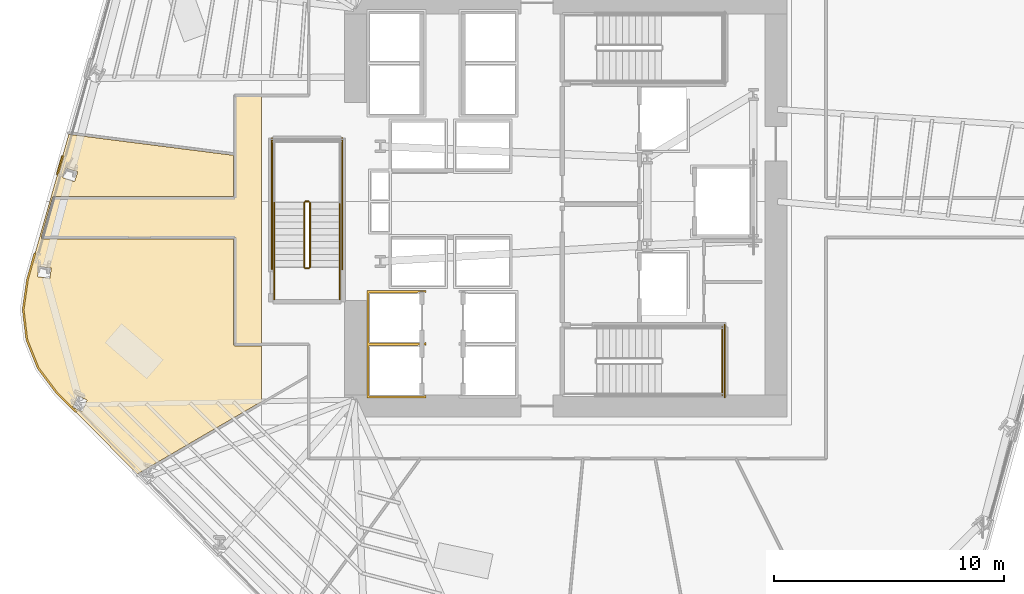
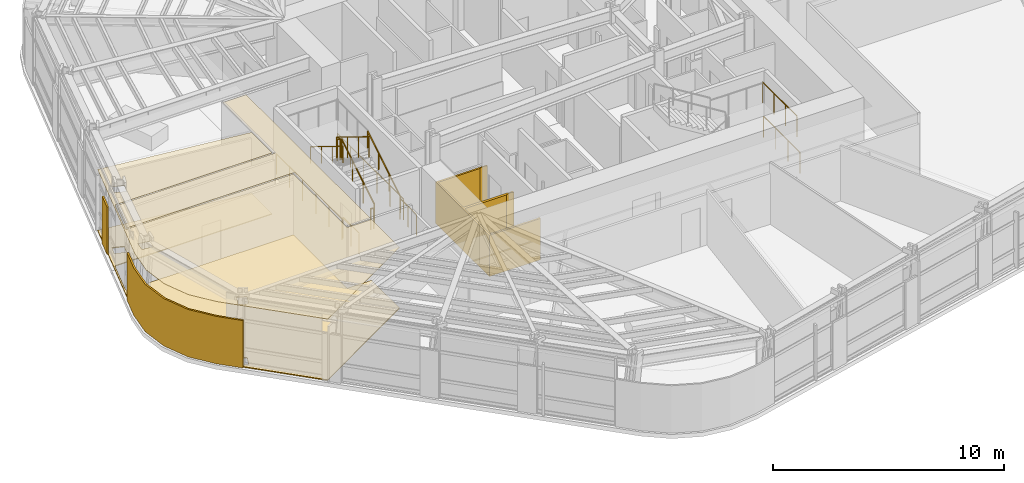
# One storey, part 13 of 17: 12 railings, 6 coverings.
"""IFC4 building model written with IfcOpenShell, lengths in metres."""

from ifc_helpers import new_model, si_unit, direction, frame, origin, origin_2d, place, context, subcontext, project, spatial, polyline, circle, outline, extrude, material, layer, layer_set, type_object, element, save


model = new_model("IFC4")

# Units and contexts
model_context = context("Model", 3, precision=1e-05, world=origin(), true_north=direction((0.0, 1.0)))
body_context = subcontext(model_context, "Body", "Model", "MODEL_VIEW")
ifc_project = project(units=[si_unit("LENGTHUNIT", "METRE"), si_unit("AREAUNIT", "SQUARE_METRE"), si_unit("VOLUMEUNIT", "CUBIC_METRE"), si_unit("PLANEANGLEUNIT", "RADIAN"), si_unit("MASSUNIT", "GRAM", prefix="KILO")], contexts=[model_context])

# Site, building, storey
site_placement = place(None, origin())
site = spatial("IfcSite", under=ifc_project, at=site_placement, CompositionType="ELEMENT")
building_placement = place(site_placement, origin())
building = spatial("IfcBuilding", under=site, at=building_placement, Name="Valkerne Bourse Tower", CompositionType="ELEMENT")
storey_placement = place(building_placement, frame((0.0, 0.0, 85.800048828125)))
storey = spatial("IfcBuildingStorey", under=building, at=storey_placement, Name="L21", CompositionType="ELEMENT", Elevation=85.800048828125)

# Coverings
ifc_material_1 = material(Name="Mineral Fiber Acoustic Ceiling Tile", Category="acoustic")
ifc_layer_1 = layer(ifc_material_1, 0.02490234375)
ifc_layer_set_1 = layer_set([ifc_layer_1], Name="Mineral Fiber Acoustic Ceiling Tile")
covering_type_1 = type_object("IfcCoveringType", Name="COV-CEIL-ACT", PredefinedType="CEILING", material=ifc_layer_set_1)
covering_1_placement = place(storey_placement, frame((0.0, 0.0, 3.22998046875)))
element("IfcCovering", 1, at=covering_1_placement, inside=storey, type_object=covering_type_1, Name="L21 Suspended Ceiling 08", PredefinedType="CEILING", context=body_context, shape_type="SweptSolid", body=[
    extrude(outline(polyline([(23.414794921875, 20.99560546875), (23.25634765625, 22.3056640625), (23.443603515625, 23.621337890625), (25.22998046875, 29.915771484375), (32.381103515625, 29.00537109375), (32.381103515625, 27.218994140625), (24.56982421875, 27.217041015625), (24.5390625, 27.200439453125), (24.52001953125, 27.16943359375), (24.037353515625, 25.46826171875), (24.038818359375, 25.426513671875), (24.0634765625, 25.393798828125), (24.103271484375, 25.381103515625), (32.381103515625, 25.381103515625), (32.381103515625, 20.799560546875), (32.390380859375, 20.764892578125), (32.414794921875, 20.740478515625), (32.449462890625, 20.73095703125), (33.60009765625, 20.73095703125), (33.60009765625, 18.31982421875), (28.671142578125, 15.445068359375), (28.663330078125, 15.44677734375), (28.66162109375, 15.439697265625), (28.19970703125, 15.170166015625), (24.704833984375, 18.708740234375), (23.906982421875, 19.771484375), (23.414794921875, 20.99560546875)]), holes=[polyline([(26.030517578125, 18.381591796875), (26.029052734375, 18.384521484375), (25.616455078125, 18.5615234375), (25.40234375, 18.068359375), (25.403564453125, 18.065185546875), (25.81640625, 17.88818359375), (26.030517578125, 18.381591796875)]), polyline([(24.469970703125, 24.109130859375), (23.9365234375, 24.18505859375), (23.872314453125, 23.74169921875), (23.872802734375, 23.73828125), (24.40625, 23.662353515625), (24.470458984375, 24.10595703125), (24.469970703125, 24.109130859375)]), polyline([(25.621337890625, 28.28662109375), (25.11181640625, 28.46142578125), (24.96533203125, 28.037841796875), (24.965087890625, 28.03466796875), (25.474609375, 27.859619140625), (25.62109375, 28.283447265625), (25.621337890625, 28.28662109375)])]), origin(), (0.0, 0.0, 1.0), 0.02490234375),
])
ifc_material_2 = material(Name="Bronze Anodised Aluminium AA 6063-T6", Category="aluminium")
ifc_layer_2 = layer(ifc_material_2, 0.030029296875)
ifc_layer_set_2 = layer_set([ifc_layer_2], Name="Bronze Anodised Aluminium AA 6063-T6")
covering_type_2 = type_object("IfcCoveringType", Name="COV-CEIL-METAL", PredefinedType="CEILING", material=ifc_layer_set_2)
covering_2_placement = place(storey_placement, frame((0.0, 0.0, 3.22998046875)))
element("IfcCovering", 2, at=covering_2_placement, inside=storey, type_object=covering_type_2, Name="L21 Suspended Ceiling 02", PredefinedType="CEILING", context=body_context, shape_type="SweptSolid", body=[
    extrude(outline(polyline([(32.4541015625, 20.803955078125), (32.4541015625, 25.4541015625), (24.109130859375, 25.4541015625), (24.58935546875, 27.14599609375), (32.4541015625, 27.14599609375), (32.4541015625, 31.595947265625), (33.60009765625, 31.595947265625), (33.60009765625, 20.803955078125), (32.4541015625, 20.803955078125)])), origin(), (0.0, 0.0, 1.0), 0.02490234375),
])
ifc_layer_3 = layer(ifc_material_2, 0.06005859375)
ifc_layer_set_3 = layer_set([ifc_layer_3], Name="Bronze Anodised Aluminium AA 6063-T6")
covering_type_3 = type_object("IfcCoveringType", Name="COV-CRN-ALUM", PredefinedType="CLADDING", material=ifc_layer_set_3)
covering_3_placement = place(storey_placement, origin())
element("IfcCovering", 3, at=covering_3_placement, inside=storey, type_object=covering_type_3, Name="L21 Wind-Shaped Corner Aluminium Cladding 09", PredefinedType="CLADDING", context=body_context, shape_type="SweptSolid", body=[
    extrude(outline(polyline([(24.67138671875, 18.679931640625), (23.868408203125, 19.74951171875), (23.371826171875, 20.984619140625), (23.2119140625, 22.30615234375), (23.400390625, 23.63037109375), (23.725830078125, 24.777099609375), (23.802978515625, 24.755615234375), (23.47900390625, 23.61376953125), (23.29248046875, 22.305419921875), (23.449951171875, 21.0048828125), (23.938720703125, 19.789306640625), (24.732177734375, 18.732421875), (25.56640625, 17.8876953125), (25.50927734375, 17.831787109375), (24.67138671875, 18.679931640625)])), origin(), (0.0, 0.0, 1.0), 2.5),
])
covering_4_placement = place(storey_placement, origin())
element("IfcCovering", 4, at=covering_4_placement, inside=storey, type_object=covering_type_3, Name="L21 Wind-Shaped Corner Aluminium Cladding 10", PredefinedType="CLADDING", context=body_context, shape_type="SweptSolid", body=[
    extrude(outline(polyline([(24.922607421875, 28.993896484375), (24.99951171875, 28.972412109375), (24.770263671875, 28.164306640625), (24.693115234375, 28.185791015625), (24.922607421875, 28.993896484375)])), origin(), (0.0, 0.0, 1.0), 2.5),
])
ifc_material_3 = material(Name="Galvanised Painted Steel", Category="steel")
ifc_layer_4 = layer(ifc_material_3, 0.044921875)
ifc_layer_set_4 = layer_set([ifc_layer_4], Name="Galvanised Painted Steel")
covering_type_4 = type_object("IfcCoveringType", Name="COV-FLR-RAF", PredefinedType="FLOORING", material=ifc_layer_set_4)
covering_5_placement = place(storey_placement, origin())
element("IfcCovering", 5, at=covering_5_placement, inside=storey, type_object=covering_type_4, Name="L21 Floor Finish 08", PredefinedType="FLOORING", context=body_context, shape_type="SweptSolid", body=[
    extrude(outline(polyline([(23.414794921875, 20.99560546875), (23.25634765625, 22.3056640625), (23.443603515625, 23.621337890625), (25.22998046875, 29.915771484375), (32.381103515625, 29.00537109375), (32.381103515625, 27.218994140625), (24.56982421875, 27.217041015625), (24.5390625, 27.200439453125), (24.52001953125, 27.16943359375), (24.037353515625, 25.46826171875), (24.038818359375, 25.426513671875), (24.0634765625, 25.393798828125), (24.103271484375, 25.381103515625), (32.381103515625, 25.381103515625), (32.381103515625, 20.799560546875), (32.390380859375, 20.764892578125), (32.414794921875, 20.740478515625), (32.449462890625, 20.73095703125), (33.60009765625, 20.73095703125), (33.60009765625, 18.31982421875), (28.671142578125, 15.445068359375), (28.663330078125, 15.44677734375), (28.66162109375, 15.439697265625), (28.19970703125, 15.170166015625), (24.704833984375, 18.708740234375), (23.906982421875, 19.771484375), (23.414794921875, 20.99560546875)]), holes=[polyline([(26.030517578125, 18.381591796875), (26.029052734375, 18.384521484375), (25.616455078125, 18.5615234375), (25.40234375, 18.068359375), (25.403564453125, 18.065185546875), (25.81640625, 17.88818359375), (26.030517578125, 18.381591796875)]), polyline([(24.469970703125, 24.109130859375), (23.9365234375, 24.18505859375), (23.872314453125, 23.74169921875), (23.872802734375, 23.73828125), (24.40625, 23.662353515625), (24.470458984375, 24.10595703125), (24.469970703125, 24.109130859375)]), polyline([(25.621337890625, 28.28662109375), (25.11181640625, 28.46142578125), (24.96533203125, 28.037841796875), (24.965087890625, 28.03466796875), (25.474609375, 27.859619140625), (25.62109375, 28.283447265625), (25.621337890625, 28.28662109375)])]), origin(), (0.0, 0.0, 1.0), 0.044921875),
])
ifc_material_4 = material(Name="Gypsum Shaftwall Liner Board", Category="gypsum")
ifc_layer_5 = layer(ifc_material_4, 0.080078125)
ifc_layer_set_5 = layer_set([ifc_layer_5], Name="Gypsum Shaftwall Liner Board")
covering_type_5 = type_object("IfcCoveringType", Name="COV-SHF-CLAD", PredefinedType="CLADDING", material=ifc_layer_set_5)
covering_6_placement = place(storey_placement, origin())
element("IfcCovering", 6, at=covering_6_placement, inside=storey, type_object=covering_type_5, Name="L21 Hoistway & Riser Shaftwall Liner 01", PredefinedType="CLADDING", context=body_context, shape_type="SweptSolid", body=[
    extrude(outline(polyline([(38.169921875, 23.1298828125), (40.72998046875, 23.1298828125), (40.72998046875, 23.052001953125), (40.72216796875, 23.0556640625), (40.6806640625, 23.070556640625), (40.6376953125, 23.081298828125), (40.593994140625, 23.087890625), (40.550048828125, 23.090087890625), (40.505859375, 23.087890625), (40.462158203125, 23.081298828125), (40.41943359375, 23.070556640625), (40.377685546875, 23.0556640625), (40.344482421875, 23.0400390625), (38.260009765625, 23.0400390625), (38.260009765625, 20.860107421875), (40.456787109375, 20.860107421875), (40.462158203125, 20.858642578125), (40.505859375, 20.852294921875), (40.550048828125, 20.85009765625), (40.593994140625, 20.852294921875), (40.6376953125, 20.858642578125), (40.6806640625, 20.869384765625), (40.72216796875, 20.88427734375), (40.72998046875, 20.887939453125), (40.72998046875, 20.830078125), (40.72998046875, 20.77001953125), (40.72998046875, 20.752197265625), (40.72216796875, 20.755615234375), (40.6806640625, 20.7705078125), (40.6376953125, 20.781494140625), (40.593994140625, 20.787841796875), (40.550048828125, 20.7900390625), (40.505859375, 20.787841796875), (40.462158203125, 20.781494140625), (40.41943359375, 20.7705078125), (40.377685546875, 20.755615234375), (40.344482421875, 20.739990234375), (38.260009765625, 20.739990234375), (38.260009765625, 18.56005859375), (40.456787109375, 18.56005859375), (40.462158203125, 18.55859375), (40.505859375, 18.55224609375), (40.550048828125, 18.550048828125), (40.593994140625, 18.55224609375), (40.6376953125, 18.55859375), (40.6806640625, 18.5693359375), (40.72216796875, 18.584228515625), (40.72998046875, 18.587890625), (40.72998046875, 18.469970703125), (38.169921875, 18.469970703125), (38.169921875, 20.77001953125), (38.169921875, 20.830078125), (38.169921875, 23.1298828125)])), origin(), (0.0, 0.0, 1.0), 2.179931640625),
])

# Railings
railing_type_1 = type_object("IfcRailingType", Name="RLG-ST-GUARD-1120", PredefinedType="GUARDRAIL", material=ifc_material_3)
railing_1_placement = place(storey_placement, frame((53.60009765625, 18.60009765625, 1.89990234375)))
element("IfcRailing", 7, at=railing_1_placement, inside=storey, type_object=railing_type_1, Name="L21 ST-1 stair guard 5", PredefinedType="GUARDRAIL", context=body_context, shape_type="SweptSolid", body=[
    extrude(circle(Radius=0.02392578125, at=origin_2d()), frame((0.0, 0.0, 1.09619140625), z_axis=(0.0, 1.0, 0.0), x_axis=(-1.0, 0.0, 0.0)), (0.0, 0.0, 1.0), 2.949951171875),
    extrude(circle(Radius=0.02099609375, at=origin_2d()), origin(), (0.0, 0.0, 1.0), 1.072021484375),
    extrude(circle(Radius=0.02099609375, at=origin_2d()), frame((0.0, 0.9833984375, 0.0)), (0.0, 0.0, 1.0), 1.072021484375),
    extrude(circle(Radius=0.02099609375, at=origin_2d()), frame((0.0, 1.966552734375, 0.0)), (0.0, 0.0, 1.0), 1.072021484375),
    extrude(circle(Radius=0.02099609375, at=origin_2d()), frame((0.0, 2.949951171875, 0.0)), (0.0, 0.0, 1.0), 1.072021484375),
])
railing_2_placement = place(storey_placement, frame((53.699951171875, 18.5, 0.0)))
element("IfcRailing", 8, at=railing_2_placement, inside=storey, type_object=railing_type_1, Name="L21 ST-1 stair guard 12", PredefinedType="GUARDRAIL", context=body_context, shape_type="SweptSolid", body=[
    extrude(circle(Radius=0.02392578125, at=origin_2d()), frame((0.0, 0.0, 1.09619140625), z_axis=(0.0, 1.0, 0.0), x_axis=(-1.0, 0.0, 0.0)), (0.0, 0.0, 1.0), 3.14990234375),
    extrude(circle(Radius=0.02099609375, at=origin_2d()), origin(), (0.0, 0.0, 1.0), 1.072021484375),
    extrude(circle(Radius=0.02099609375, at=origin_2d()), frame((0.0, 1.050048828125, 0.0)), (0.0, 0.0, 1.0), 1.072021484375),
    extrude(circle(Radius=0.02099609375, at=origin_2d()), frame((0.0, 2.099853515625, 0.0)), (0.0, 0.0, 1.0), 1.072021484375),
    extrude(circle(Radius=0.02099609375, at=origin_2d()), frame((0.0, 3.14990234375, 0.0)), (0.0, 0.0, 1.0), 1.072021484375),
])
railing_3_placement = place(storey_placement, frame((35.699951171875, 24.14990234375, 0.172607421875)))
element("IfcRailing", 9, at=railing_3_placement, inside=storey, type_object=railing_type_1, Name="L21 ST-3 stair guard 1", PredefinedType="GUARDRAIL", context=body_context, shape_type="SweptSolid", body=[
    extrude(circle(Radius=0.02392578125, at=origin_2d()), frame((0.0, 0.0, 1.09619140625), z_axis=(0.0, 0.851089632645, 0.525020415988), x_axis=(-1.0, 0.0, 0.0)), (0.0, 0.0, 1.0), 3.2900390625),
    extrude(circle(Radius=0.02099609375, at=origin_2d()), origin(), (0.0, 0.0, 1.0), 1.072021484375),
    extrude(circle(Radius=0.02099609375, at=origin_2d()), frame((0.0, 0.933349609375, 0.57568359375)), (0.0, 0.0, 1.0), 1.072021484375),
    extrude(circle(Radius=0.02099609375, at=origin_2d()), frame((0.0, 1.86669921875, 1.151611328125)), (0.0, 0.0, 1.0), 1.072021484375),
    extrude(circle(Radius=0.02099609375, at=origin_2d()), frame((0.0, 2.800048828125, 1.727294921875)), (0.0, 0.0, 1.0), 1.072021484375),
])
railing_4_placement = place(storey_placement, frame((35.64990234375, 27.0, 1.89990234375)))
element("IfcRailing", 10, at=railing_4_placement, inside=storey, type_object=railing_type_1, Name="L21 ST-3 stair guard 2", PredefinedType="GUARDRAIL", context=body_context, shape_type="SweptSolid", body=[
    extrude(circle(Radius=0.02392578125, at=origin_2d()), frame((0.0, 0.0, 1.09619140625), z_axis=(-1.0, 0.0, 0.0), x_axis=(0.0, -1.0, 0.0)), (0.0, 0.0, 1.0), 0.14990234375),
    extrude(circle(Radius=0.02099609375, at=origin_2d()), origin(), (0.0, 0.0, 1.0), 1.072021484375),
    extrude(circle(Radius=0.02099609375, at=origin_2d()), frame((-0.14990234375, 0.0, 0.0)), (0.0, 0.0, 1.0), 1.072021484375),
])
railing_5_placement = place(storey_placement, frame((35.449951171875, 26.949951171875, 2.07275390625)))
element("IfcRailing", 11, at=railing_5_placement, inside=storey, type_object=railing_type_1, Name="L21 ST-3 stair guard 6", PredefinedType="GUARDRAIL", context=body_context, shape_type="SweptSolid", body=[
    extrude(circle(Radius=0.02392578125, at=origin_2d()), frame((0.0, 0.0, 1.09619140625), z_axis=(0.0, -0.851089632645, 0.525020415988), x_axis=(1.0, 0.0, 0.0)), (0.0, 0.0, 1.0), 3.2900390625),
    extrude(circle(Radius=0.02099609375, at=origin_2d()), origin(), (0.0, 0.0, 1.0), 1.072021484375),
    extrude(circle(Radius=0.02099609375, at=origin_2d()), frame((0.0, -0.933349609375, 0.57568359375)), (0.0, 0.0, 1.0), 1.072021484375),
    extrude(circle(Radius=0.02099609375, at=origin_2d()), frame((0.0, -1.86669921875, 1.151611328125)), (0.0, 0.0, 1.0), 1.072021484375),
    extrude(circle(Radius=0.02099609375, at=origin_2d()), frame((0.0, -2.800048828125, 1.727294921875)), (0.0, 0.0, 1.0), 1.072021484375),
])
railing_6_placement = place(storey_placement, frame((35.64990234375, 24.10009765625, 0.0)))
element("IfcRailing", 12, at=railing_6_placement, inside=storey, type_object=railing_type_1, Name="L21 ST-3 stair guard 7", PredefinedType="GUARDRAIL", context=body_context, shape_type="SweptSolid", body=[
    extrude(circle(Radius=0.02392578125, at=origin_2d()), frame((0.0, 0.0, 1.09619140625), z_axis=(-1.0, 0.0, 0.0), x_axis=(0.0, -1.0, 0.0)), (0.0, 0.0, 1.0), 0.14990234375),
    extrude(circle(Radius=0.02099609375, at=origin_2d()), origin(), (0.0, 0.0, 1.0), 1.072021484375),
    extrude(circle(Radius=0.02099609375, at=origin_2d()), frame((-0.14990234375, 0.0, 0.0)), (0.0, 0.0, 1.0), 1.072021484375),
])
for number, where, name in (
    (13, (37.0, 22.75, 0.0), "L21 ST-3 stair guard 8"),
    (14, (34.14990234375, 22.75, 0.0), "L21 ST-3 stair guard 9"),
):
    element("IfcRailing", number, at=place(storey_placement, frame(where)), inside=storey, type_object=railing_type_1, Name=name, PredefinedType="GUARDRAIL", context=body_context, shape_type="SweptSolid", body=[
        extrude(circle(Radius=0.02392578125, at=origin_2d()), frame((0.0, 0.0, 1.09619140625), z_axis=(0.0, 1.0, 0.0), x_axis=(-1.0, 0.0, 0.0)), (0.0, 0.0, 1.0), 1.39990234375),
        extrude(circle(Radius=0.02099609375, at=origin_2d()), origin(), (0.0, 0.0, 1.0), 1.072021484375),
        extrude(circle(Radius=0.02099609375, at=origin_2d()), frame((0.0, 0.699951171875, 0.0)), (0.0, 0.0, 1.0), 1.072021484375),
        extrude(circle(Radius=0.02099609375, at=origin_2d()), frame((0.0, 1.39990234375, 0.0)), (0.0, 0.0, 1.0), 1.072021484375),
    ])
for number, where, name in (
    (15, (37.10009765625, 24.050048828125, 0.0), "L21 ST-3 stair guard 10"),
    (16, (34.050048828125, 24.050048828125, 0.0), "L21 ST-3 stair guard 11"),
):
    element("IfcRailing", number, at=place(storey_placement, frame(where)), inside=storey, type_object=railing_type_1, Name=name, PredefinedType="GUARDRAIL", context=body_context, shape_type="SweptSolid", body=[
        extrude(circle(Radius=0.02392578125, at=origin_2d()), frame((0.0, 0.0, 1.09619140625), z_axis=(0.0, 1.0, 0.0), x_axis=(-1.0, 0.0, 0.0)), (0.0, 0.0, 1.0), 5.699951171875),
        extrude(circle(Radius=0.02099609375, at=origin_2d()), origin(), (0.0, 0.0, 1.0), 1.072021484375),
        extrude(circle(Radius=0.02099609375, at=origin_2d()), frame((0.0, 1.139892578125, 0.0)), (0.0, 0.0, 1.0), 1.072021484375),
        extrude(circle(Radius=0.02099609375, at=origin_2d()), frame((0.0, 2.280029296875, 0.0)), (0.0, 0.0, 1.0), 1.072021484375),
        extrude(circle(Radius=0.02099609375, at=origin_2d()), frame((0.0, 3.419921875, 0.0)), (0.0, 0.0, 1.0), 1.072021484375),
        extrude(circle(Radius=0.02099609375, at=origin_2d()), frame((0.0, 4.56005859375, 0.0)), (0.0, 0.0, 1.0), 1.072021484375),
        extrude(circle(Radius=0.02099609375, at=origin_2d()), frame((0.0, 5.699951171875, 0.0)), (0.0, 0.0, 1.0), 1.072021484375),
    ])
ifc_material_5 = material(Name="Stainless Steel AISI 316", Category="steel")
railing_type_2 = type_object("IfcRailingType", Name="RLG-ST-HANDRAIL-900", PredefinedType="HANDRAIL", material=ifc_material_5)
railing_7_placement = place(storey_placement, frame((37.0, 24.14990234375, 0.345458984375)))
element("IfcRailing", 17, at=railing_7_placement, inside=storey, type_object=railing_type_2, Name="L21 ST-3 stair handrail 1", PredefinedType="HANDRAIL", context=body_context, shape_type="SweptSolid", body=[
    extrude(circle(Radius=0.02392578125, at=origin_2d()), frame((0.0, 0.0, 0.8759765625), z_axis=(0.0, 0.851089632645, 0.525020415988), x_axis=(-1.0, 0.0, 0.0)), (0.0, 0.0, 1.0), 3.2900390625),
    extrude(circle(Radius=0.02099609375, at=origin_2d()), origin(), (0.0, 0.0, 1.0), 0.851806640625),
    extrude(circle(Radius=0.02099609375, at=origin_2d()), frame((0.0, 0.933349609375, 0.57568359375)), (0.0, 0.0, 1.0), 0.851806640625),
    extrude(circle(Radius=0.02099609375, at=origin_2d()), frame((0.0, 1.86669921875, 1.151611328125)), (0.0, 0.0, 1.0), 0.851806640625),
    extrude(circle(Radius=0.02099609375, at=origin_2d()), frame((0.0, 2.800048828125, 1.727294921875)), (0.0, 0.0, 1.0), 0.851806640625),
])
railing_8_placement = place(storey_placement, frame((34.14990234375, 26.949951171875, 2.245361328125)))
element("IfcRailing", 18, at=railing_8_placement, inside=storey, type_object=railing_type_2, Name="L21 ST-3 stair handrail 2", PredefinedType="HANDRAIL", context=body_context, shape_type="SweptSolid", body=[
    extrude(circle(Radius=0.02392578125, at=origin_2d()), frame((0.0, 0.0, 0.8759765625), z_axis=(0.0, -0.851089632645, 0.525020415988), x_axis=(1.0, 0.0, 0.0)), (0.0, 0.0, 1.0), 3.2900390625),
    extrude(circle(Radius=0.02099609375, at=origin_2d()), origin(), (0.0, 0.0, 1.0), 0.851806640625),
    extrude(circle(Radius=0.02099609375, at=origin_2d()), frame((0.0, -0.933349609375, 0.57568359375)), (0.0, 0.0, 1.0), 0.851806640625),
    extrude(circle(Radius=0.02099609375, at=origin_2d()), frame((0.0, -1.86669921875, 1.151611328125)), (0.0, 0.0, 1.0), 0.851806640625),
    extrude(circle(Radius=0.02099609375, at=origin_2d()), frame((0.0, -2.800048828125, 1.727294921875)), (0.0, 0.0, 1.0), 0.851806640625),
])

save(model, "model.ifc")
